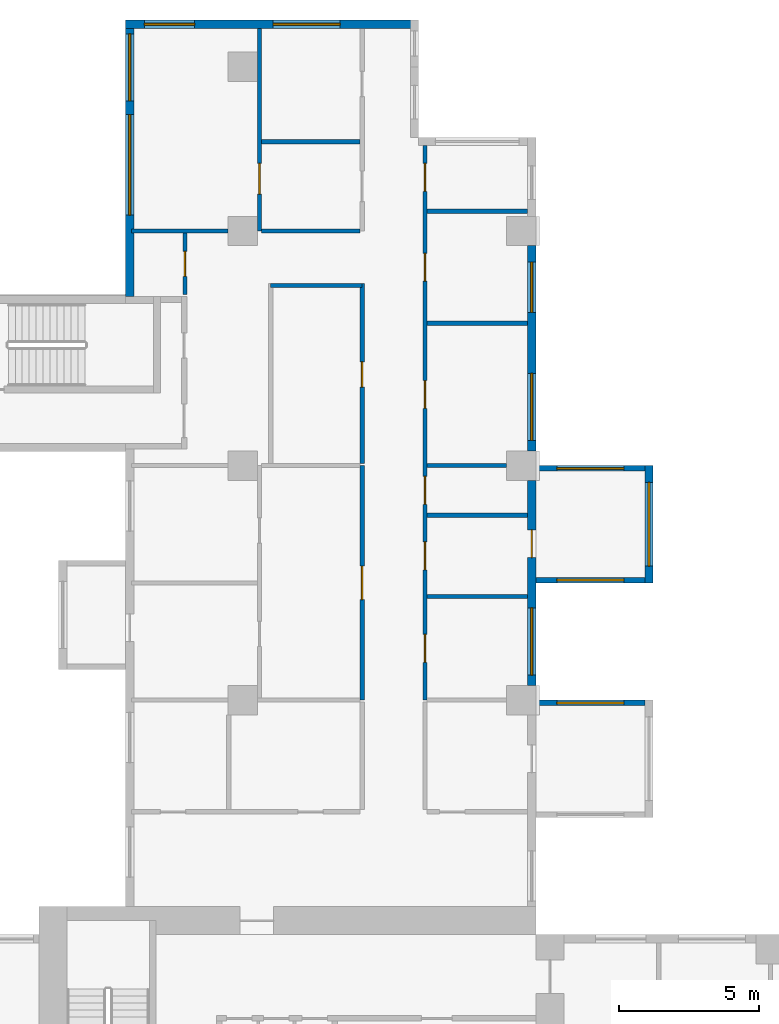
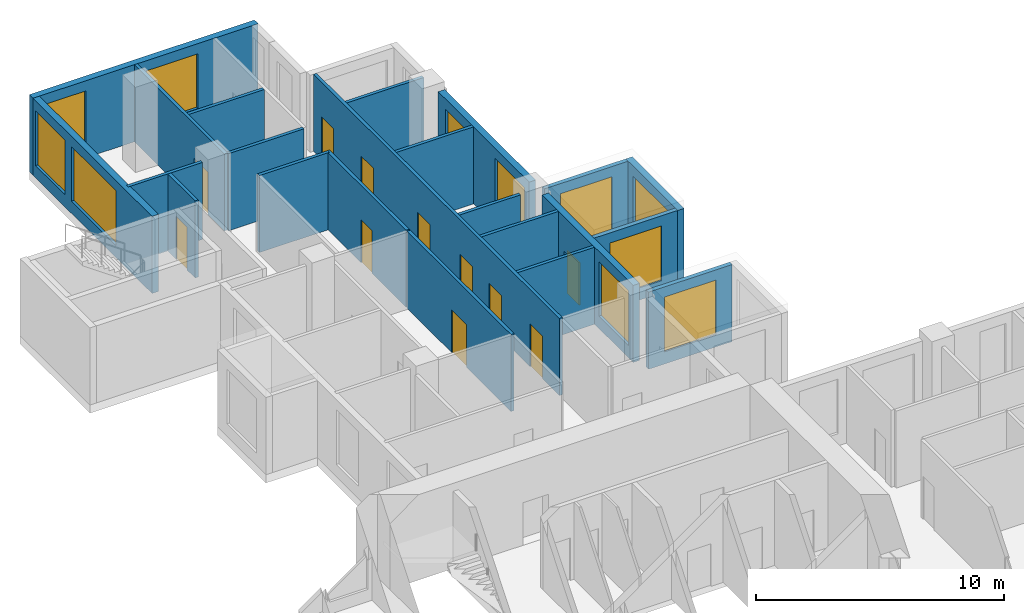
# One storey, part 7 of 14: 22 walls, 11 doors, 11 windows, 22 openings.
"""IFC4 building model written with IfcOpenShell, lengths in metres."""

from ifc_helpers import new_model, si_unit, direction, frame, frame_2d, origin, place, context, subcontext, project, spatial, rectangle, extrude, source, transform, mapped, material, layer, layer_set, type_object, element, fill, save


model = new_model("IFC4")

# Units and contexts
model_context = context("Model", 3, precision=1e-05, world=origin(), true_north=direction((0.0, 1.0)))
body_context = subcontext(model_context, "Body", "Model", "MODEL_VIEW")
ifc_project = project(units=[si_unit("LENGTHUNIT", "METRE"), si_unit("AREAUNIT", "SQUARE_METRE"), si_unit("VOLUMEUNIT", "CUBIC_METRE"), si_unit("PLANEANGLEUNIT", "RADIAN"), si_unit("MASSUNIT", "GRAM", prefix="KILO")], contexts=[model_context])

# Site, building, storey
site_placement = place(None, origin())
site = spatial("IfcSite", under=ifc_project, at=site_placement, CompositionType="ELEMENT")
building_placement = place(site_placement, origin())
building = spatial("IfcBuilding", under=site, at=building_placement, Name="Aurelian Terraces", CompositionType="ELEMENT")
storey_placement = place(building_placement, frame((0.0, 0.0, 111.9)))
storey = spatial("IfcBuildingStorey", under=building, at=storey_placement, Name="L24", CompositionType="ELEMENT", Elevation=111.9)

# Wall, opening, window
ifc_material_1 = material(Name="Concrete fc' 40 MPa", Category="concrete")
ifc_layer_1 = layer(ifc_material_1, 0.2)
ifc_layer_set_1 = layer_set([ifc_layer_1], Name="BOX BEARING WALL 200")
wall_type_1 = type_object("IfcWallType", Name="BOX BEARING WALL 200", PredefinedType="SOLIDWALL", material=ifc_layer_set_1)
shared_shape_1 = source(origin(), body_context, "Body", "SweptSolid", [
    extrude(rectangle(XDim=3.9, YDim=0.2, at=frame_2d((1.95, 0.0))), origin(), (0.0, 0.0, 1.0), 3.8),
])
wall_1_placement = place(storey_placement, frame((21.0, 29.3, 0.0), z_axis=(0.0, 0.0, 1.0), x_axis=(1.0, 0.0, 0.0)))
wall_1 = element("IfcWall", 1, at=wall_1_placement, inside=storey, type_object=wall_type_1, Name="Box return L24 J32.2", PredefinedType="SOLIDWALL", context=body_context, shape_type="MappedRepresentation", body=[
    mapped(shared_shape_1, transform((0.0, 0.0, 0.0), scale=1.0)),
])
shared_shape_2 = source(origin(), body_context, "Body", "SweptSolid", [
    extrude(rectangle(XDim=2.4, YDim=2.7, at=frame_2d((1.2, 1.35))), frame((0.0, 0.11, 0.0), z_axis=(0.0, -1.0, 0.0), x_axis=(1.0, 0.0, 0.0)), (0.0, 0.0, 1.0), 0.22),
])
opening_1_placement = place(wall_1_placement, frame((0.75, 0.0, 0.6)))
opening_1 = element("IfcOpeningElement", 2, at=opening_1_placement, cuts=wall_1, Name="Opening W2427", PredefinedType="OPENING", context=body_context, shape_type="MappedRepresentation", body=[
    mapped(shared_shape_2, transform((0.0, 0.0, 0.0), scale=1.0)),
])
ifc_material_2 = material(Name="Clear glazing", Category="glass")
window_type_1 = type_object("IfcWindowType", Name="W-2400x2700", PartitioningType="SINGLE_PANEL", PredefinedType="WINDOW", material=ifc_material_2)
shared_shape_3 = source(origin(), body_context, "Body", "SweptSolid", [
    extrude(rectangle(XDim=2.4, YDim=2.7, at=frame_2d((1.2, 1.35))), frame((0.0, 0.03, 0.0), z_axis=(0.0, -1.0, 0.0), x_axis=(1.0, 0.0, 0.0)), (0.0, 0.0, 1.0), 0.06),
])
window_1_placement = place(opening_1_placement, origin())
window_1 = element("IfcWindow", 3, at=window_1_placement, inside=storey, type_object=window_type_1, Name="Window L24 J32-S2", OverallHeight=2.7, OverallWidth=2.4, PartitioningType="SINGLE_PANEL", PredefinedType="WINDOW", context=body_context, shape_type="MappedRepresentation", body=[
    mapped(shared_shape_3, transform((0.0, 0.0, 0.0), scale=1.0)),
])
fill(opening_1, window_1)

wall_2_placement = place(storey_placement, frame((21.0, 33.7, 0.0), z_axis=(0.0, 0.0, 1.0), x_axis=(1.0, 0.0, 0.0)))
wall_2 = element("IfcWall", 4, at=wall_2_placement, inside=storey, type_object=wall_type_1, Name="Box return L24 J33.1", PredefinedType="SOLIDWALL", context=body_context, shape_type="MappedRepresentation", body=[
    mapped(shared_shape_1, transform((0.0, 0.0, 0.0), scale=1.0)),
])
opening_2_placement = place(wall_2_placement, frame((0.75, 0.0, 0.6)))
opening_2 = element("IfcOpeningElement", 5, at=opening_2_placement, cuts=wall_2, Name="Opening W2427", PredefinedType="OPENING", context=body_context, shape_type="MappedRepresentation", body=[
    mapped(shared_shape_2, transform((0.0, 0.0, 0.0), scale=1.0)),
])
window_2_placement = place(opening_2_placement, origin())
window_2 = element("IfcWindow", 6, at=window_2_placement, inside=storey, type_object=window_type_1, Name="Window L24 J33-S1", OverallHeight=2.7, OverallWidth=2.4, PartitioningType="SINGLE_PANEL", PredefinedType="WINDOW", context=body_context, shape_type="MappedRepresentation", body=[
    mapped(shared_shape_3, transform((0.0, 0.0, 0.0), scale=1.0)),
])
fill(opening_2, window_2)

wall_3_placement = place(storey_placement, frame((21.0, 37.7, 0.0), z_axis=(0.0, 0.0, 1.0), x_axis=(1.0, 0.0, 0.0)))
wall_3 = element("IfcWall", 7, at=wall_3_placement, inside=storey, type_object=wall_type_1, Name="Box return L24 J33.2", PredefinedType="SOLIDWALL", context=body_context, shape_type="MappedRepresentation", body=[
    mapped(shared_shape_1, transform((0.0, 0.0, 0.0), scale=1.0)),
])
opening_3_placement = place(wall_3_placement, frame((0.75, 0.0, 0.6)))
opening_3 = element("IfcOpeningElement", 8, at=opening_3_placement, cuts=wall_3, Name="Opening W2427", PredefinedType="OPENING", context=body_context, shape_type="MappedRepresentation", body=[
    mapped(shared_shape_2, transform((0.0, 0.0, 0.0), scale=1.0)),
])
window_3_placement = place(opening_3_placement, origin())
window_3 = element("IfcWindow", 9, at=window_3_placement, inside=storey, type_object=window_type_1, Name="Window L24 J33-S2", OverallHeight=2.7, OverallWidth=2.4, PartitioningType="SINGLE_PANEL", PredefinedType="WINDOW", context=body_context, shape_type="MappedRepresentation", body=[
    mapped(shared_shape_3, transform((0.0, 0.0, 0.0), scale=1.0)),
])
fill(opening_3, window_3)

ifc_layer_2 = layer(ifc_material_1, 0.3)
ifc_layer_set_2 = layer_set([ifc_layer_2], Name="BOX BEARING WALL 300")
wall_type_2 = type_object("IfcWallType", Name="BOX BEARING WALL 300", PredefinedType="SOLIDWALL", material=ifc_layer_set_2)
shared_shape_4 = source(origin(), body_context, "Body", "SweptSolid", [
    extrude(rectangle(XDim=4.2, YDim=0.3, at=frame_2d((2.1, 0.0))), origin(), (0.0, 0.0, 1.0), 3.8),
])
wall_4_placement = place(storey_placement, frame((25.05, 33.6, 0.0), z_axis=(0.0, 0.0, 1.0), x_axis=(0.0, 1.0, 0.0)))
wall_4 = element("IfcWall", 10, at=wall_4_placement, inside=storey, type_object=wall_type_2, Name="Box wall L24 J33", PredefinedType="SOLIDWALL", context=body_context, shape_type="MappedRepresentation", body=[
    mapped(shared_shape_4, transform((0.0, 0.0, 0.0), scale=1.0)),
])
shared_shape_5 = source(origin(), body_context, "Body", "SweptSolid", [
    extrude(rectangle(XDim=3.0, YDim=2.7, at=frame_2d((1.5, 1.35))), frame((0.0, 0.16, 0.0), z_axis=(0.0, -1.0, 0.0), x_axis=(1.0, 0.0, 0.0)), (0.0, 0.0, 1.0), 0.32),
])
opening_4_placement = place(wall_4_placement, frame((0.6, 0.0, 0.6)))
opening_4 = element("IfcOpeningElement", 11, at=opening_4_placement, cuts=wall_4, Name="Opening W3027", PredefinedType="OPENING", context=body_context, shape_type="MappedRepresentation", body=[
    mapped(shared_shape_5, transform((0.0, 0.0, 0.0), scale=1.0)),
])
window_type_2 = type_object("IfcWindowType", Name="W-3000x2700", PartitioningType="SINGLE_PANEL", PredefinedType="WINDOW", material=ifc_material_2)
shared_shape_6 = source(origin(), body_context, "Body", "SweptSolid", [
    extrude(rectangle(XDim=3.0, YDim=2.7, at=frame_2d((1.5, 1.35))), frame((0.0, 0.03, 0.0), z_axis=(0.0, -1.0, 0.0), x_axis=(1.0, 0.0, 0.0)), (0.0, 0.0, 1.0), 0.06),
])
window_4_placement = place(opening_4_placement, origin())
window_4 = element("IfcWindow", 12, at=window_4_placement, inside=storey, type_object=window_type_2, Name="Window L24 J33-F1", OverallHeight=2.7, OverallWidth=3.0, PartitioningType="SINGLE_PANEL", PredefinedType="WINDOW", context=body_context, shape_type="MappedRepresentation", body=[
    mapped(shared_shape_6, transform((0.0, 0.0, 0.0), scale=1.0)),
])
fill(opening_4, window_4)

# Wall, openings, window, door
ifc_material_3 = material(Name="Terracotta rainscreen cladding", Category="masonry")
ifc_layer_3 = layer(ifc_material_3, 0.3)
ifc_layer_set_3 = layer_set([ifc_layer_3], Name="EW-300")
wall_type_3 = type_object("IfcWallType", Name="EW-300", PredefinedType="STANDARD", material=ifc_layer_set_3)
shared_shape_7 = source(origin(), body_context, "Body", "SweptSolid", [
    extrude(rectangle(XDim=7.35, YDim=0.3, at=frame_2d((3.675, 0.0))), origin(), (0.0, 0.0, 1.0), 3.8),
])
wall_5_placement = place(storey_placement, frame((20.85, 29.925, 0.0), z_axis=(0.0, 0.0, 1.0), x_axis=(0.0, 1.0, 0.0)))
wall_5 = element("IfcWall", 13, at=wall_5_placement, inside=storey, type_object=wall_type_3, Name="External wall L24 F08.22", PredefinedType="STANDARD", context=body_context, shape_type="MappedRepresentation", body=[
    mapped(shared_shape_7, transform((0.0, 0.0, 0.0), scale=1.0)),
])
shared_shape_8 = source(origin(), body_context, "Body", "SweptSolid", [
    extrude(rectangle(XDim=2.4, YDim=2.7, at=frame_2d((1.2, 1.35))), frame((0.0, 0.16, 0.0), z_axis=(0.0, -1.0, 0.0), x_axis=(1.0, 0.0, 0.0)), (0.0, 0.0, 1.0), 0.32),
])
opening_5_placement = place(wall_5_placement, frame((0.375, 0.0, 0.6)))
opening_5 = element("IfcOpeningElement", 14, at=opening_5_placement, cuts=wall_5, Name="Opening W2427", PredefinedType="OPENING", context=body_context, shape_type="MappedRepresentation", body=[
    mapped(shared_shape_8, transform((0.0, 0.0, 0.0), scale=1.0)),
])
shared_shape_9 = source(origin(), body_context, "Body", "SweptSolid", [
    extrude(rectangle(XDim=1.0, YDim=2.1, at=frame_2d((0.5, 1.05))), frame((0.0, 0.16, 0.0), z_axis=(0.0, -1.0, 0.0), x_axis=(1.0, 0.0, 0.0)), (0.0, 0.0, 1.0), 0.32),
])
opening_6_placement = place(wall_5_placement, frame((4.575, 0.0, 0.0)))
opening_6 = element("IfcOpeningElement", 15, at=opening_6_placement, cuts=wall_5, Name="Opening 824003", PredefinedType="OPENING", context=body_context, shape_type="MappedRepresentation", body=[
    mapped(shared_shape_9, transform((0.0, 0.0, 0.0), scale=1.0)),
])
window_5_placement = place(opening_5_placement, origin())
window_5 = element("IfcWindow", 16, at=window_5_placement, inside=storey, type_object=window_type_1, Name="Window L24 L24-F08-22-0", OverallHeight=2.7, OverallWidth=2.4, PartitioningType="SINGLE_PANEL", PredefinedType="WINDOW", context=body_context, shape_type="MappedRepresentation", body=[
    mapped(shared_shape_3, transform((0.0, 0.0, 0.0), scale=1.0)),
])
fill(opening_5, window_5)
ifc_material_4 = material(Name="Timber door leaf", Category="wood")
door_type_1 = type_object("IfcDoorType", Name="Room door 1000x2100 left", OperationType="SINGLE_SWING_LEFT", PredefinedType="DOOR", material=ifc_material_4)
shared_shape_10 = source(origin(), body_context, "Body", "SweptSolid", [
    extrude(rectangle(XDim=1.0, YDim=2.1, at=frame_2d((0.5, 1.05))), frame((0.0, 0.025, 0.0), z_axis=(0.0, -1.0, 0.0), x_axis=(1.0, 0.0, 0.0)), (0.0, 0.0, 1.0), 0.05),
])
door_1_placement = place(opening_6_placement, origin())
door_1 = element("IfcDoor", 17, at=door_1_placement, inside=storey, type_object=door_type_1, Name="Door 824003", OperationType="SINGLE_SWING_LEFT", OverallHeight=2.1, OverallWidth=1.0, PredefinedType="DOOR", context=body_context, shape_type="MappedRepresentation", body=[
    mapped(shared_shape_10, transform((0.0, 0.0, 0.0), scale=1.0)),
])
fill(opening_6, door_1)

# Wall, openings, windows
wall_6_placement = place(storey_placement, frame((20.85, 38.325, 0.0), z_axis=(0.0, 0.0, 1.0), x_axis=(0.0, 1.0, 0.0)))
wall_6 = element("IfcWall", 18, at=wall_6_placement, inside=storey, type_object=wall_type_3, Name="External wall L24 F08.23", PredefinedType="STANDARD", context=body_context, shape_type="MappedRepresentation", body=[
    mapped(shared_shape_7, transform((0.0, 0.0, 0.0), scale=1.0)),
])
opening_7_placement = place(wall_6_placement, frame((0.375, 0.0, 0.6)))
opening_7 = element("IfcOpeningElement", 19, at=opening_7_placement, cuts=wall_6, Name="Opening W2427", PredefinedType="OPENING", context=body_context, shape_type="MappedRepresentation", body=[
    mapped(shared_shape_8, transform((0.0, 0.0, 0.0), scale=1.0)),
])
shared_shape_11 = source(origin(), body_context, "Body", "SweptSolid", [
    extrude(rectangle(XDim=1.8, YDim=2.7, at=frame_2d((0.9, 1.35))), frame((0.0, 0.16, 0.0), z_axis=(0.0, -1.0, 0.0), x_axis=(1.0, 0.0, 0.0)), (0.0, 0.0, 1.0), 0.32),
])
opening_8_placement = place(wall_6_placement, frame((4.9605, 0.0, 0.6)))
opening_8 = element("IfcOpeningElement", 20, at=opening_8_placement, cuts=wall_6, Name="Opening W1827", PredefinedType="OPENING", context=body_context, shape_type="MappedRepresentation", body=[
    mapped(shared_shape_11, transform((0.0, 0.0, 0.0), scale=1.0)),
])
window_6_placement = place(opening_7_placement, origin())
window_6 = element("IfcWindow", 21, at=window_6_placement, inside=storey, type_object=window_type_1, Name="Window L24 L24-F08-23-0", OverallHeight=2.7, OverallWidth=2.4, PartitioningType="SINGLE_PANEL", PredefinedType="WINDOW", context=body_context, shape_type="MappedRepresentation", body=[
    mapped(shared_shape_3, transform((0.0, 0.0, 0.0), scale=1.0)),
])
fill(opening_7, window_6)
window_type_3 = type_object("IfcWindowType", Name="W-1800x2700", PartitioningType="SINGLE_PANEL", PredefinedType="WINDOW", material=ifc_material_2)
shared_shape_12 = source(origin(), body_context, "Body", "SweptSolid", [
    extrude(rectangle(XDim=1.8, YDim=2.7, at=frame_2d((0.9, 1.35))), frame((0.0, 0.03, 0.0), z_axis=(0.0, -1.0, 0.0), x_axis=(1.0, 0.0, 0.0)), (0.0, 0.0, 1.0), 0.06),
])
window_7_placement = place(opening_8_placement, origin())
window_7 = element("IfcWindow", 22, at=window_7_placement, inside=storey, type_object=window_type_3, Name="Window L24 L24-F08-23-1", OverallHeight=2.7, OverallWidth=1.8, PartitioningType="SINGLE_PANEL", PredefinedType="WINDOW", context=body_context, shape_type="MappedRepresentation", body=[
    mapped(shared_shape_12, transform((0.0, 0.0, 0.0), scale=1.0)),
])
fill(opening_8, window_7)

shared_shape_13 = source(origin(), body_context, "Body", "SweptSolid", [
    extrude(rectangle(XDim=10.5, YDim=0.3, at=frame_2d((5.25, 0.0))), origin(), (0.0, 0.0, 1.0), 3.8),
])
wall_7_placement = place(storey_placement, frame((16.8, 53.61, 0.0), z_axis=(0.0, 0.0, 1.0), x_axis=(-1.0, 0.0, 0.0)))
wall_7 = element("IfcWall", 23, at=wall_7_placement, inside=storey, type_object=wall_type_3, Name="External wall L24 F11.28", PredefinedType="STANDARD", context=body_context, shape_type="MappedRepresentation", body=[
    mapped(shared_shape_13, transform((0.0, 0.0, 0.0), scale=1.0)),
])
opening_9_placement = place(wall_7_placement, frame((8.025, 0.0, 0.6)))
opening_9 = element("IfcOpeningElement", 24, at=opening_9_placement, cuts=wall_7, Name="Opening W1827", PredefinedType="OPENING", context=body_context, shape_type="MappedRepresentation", body=[
    mapped(shared_shape_11, transform((0.0, 0.0, 0.0), scale=1.0)),
])
opening_10_placement = place(wall_7_placement, frame((2.8125, 0.0, 0.6)))
opening_10 = element("IfcOpeningElement", 25, at=opening_10_placement, cuts=wall_7, Name="Opening W2427", PredefinedType="OPENING", context=body_context, shape_type="MappedRepresentation", body=[
    mapped(shared_shape_8, transform((0.0, 0.0, 0.0), scale=1.0)),
])
window_8_placement = place(opening_10_placement, origin())
window_8 = element("IfcWindow", 26, at=window_8_placement, inside=storey, type_object=window_type_1, Name="Window L24 L24-F11-28-G0-0", OverallHeight=2.7, OverallWidth=2.4, PartitioningType="SINGLE_PANEL", PredefinedType="WINDOW", context=body_context, shape_type="MappedRepresentation", body=[
    mapped(shared_shape_3, transform((0.0, 0.0, 0.0), scale=1.0)),
])
fill(opening_10, window_8)
window_9_placement = place(opening_9_placement, origin())
window_9 = element("IfcWindow", 27, at=window_9_placement, inside=storey, type_object=window_type_3, Name="Window L24 L24-F11-28-2", OverallHeight=2.7, OverallWidth=1.8, PartitioningType="SINGLE_PANEL", PredefinedType="WINDOW", context=body_context, shape_type="MappedRepresentation", body=[
    mapped(shared_shape_12, transform((0.0, 0.0, 0.0), scale=1.0)),
])
fill(opening_9, window_9)

shared_shape_14 = source(origin(), body_context, "Body", "SweptSolid", [
    extrude(rectangle(XDim=9.91, YDim=0.3, at=frame_2d((4.955, 0.0))), origin(), (0.0, 0.0, 1.0), 3.8),
])
wall_8_placement = place(storey_placement, frame((6.45, 53.76, 0.0), z_axis=(0.0, 0.0, 1.0), x_axis=(0.0, -1.0, 0.0)))
wall_8 = element("IfcWall", 28, at=wall_8_placement, inside=storey, type_object=wall_type_3, Name="External wall L24 F12.29", PredefinedType="STANDARD", context=body_context, shape_type="MappedRepresentation", body=[
    mapped(shared_shape_14, transform((0.0, 0.0, 0.0), scale=1.0)),
])
shared_shape_15 = source(origin(), body_context, "Body", "SweptSolid", [
    extrude(rectangle(XDim=3.6, YDim=2.7, at=frame_2d((1.8, 1.35))), frame((0.0, 0.16, 0.0), z_axis=(0.0, -1.0, 0.0), x_axis=(1.0, 0.0, 0.0)), (0.0, 0.0, 1.0), 0.32),
])
opening_11_placement = place(wall_8_placement, frame((3.39, 0.0, 0.6)))
opening_11 = element("IfcOpeningElement", 29, at=opening_11_placement, cuts=wall_8, Name="Opening W3627", PredefinedType="OPENING", context=body_context, shape_type="MappedRepresentation", body=[
    mapped(shared_shape_15, transform((0.0, 0.0, 0.0), scale=1.0)),
])
opening_12_placement = place(wall_8_placement, frame((0.495, 0.0, 0.6)))
opening_12 = element("IfcOpeningElement", 30, at=opening_12_placement, cuts=wall_8, Name="Opening W2427", PredefinedType="OPENING", context=body_context, shape_type="MappedRepresentation", body=[
    mapped(shared_shape_8, transform((0.0, 0.0, 0.0), scale=1.0)),
])
window_type_4 = type_object("IfcWindowType", Name="W-3600x2700", PartitioningType="SINGLE_PANEL", PredefinedType="WINDOW", material=ifc_material_2)
shared_shape_16 = source(origin(), body_context, "Body", "SweptSolid", [
    extrude(rectangle(XDim=3.6, YDim=2.7, at=frame_2d((1.8, 1.35))), frame((0.0, 0.03, 0.0), z_axis=(0.0, -1.0, 0.0), x_axis=(1.0, 0.0, 0.0)), (0.0, 0.0, 1.0), 0.06),
])
window_10_placement = place(opening_11_placement, origin())
window_10 = element("IfcWindow", 31, at=window_10_placement, inside=storey, type_object=window_type_4, Name="Window L24 L24-F12-29-1", OverallHeight=2.7, OverallWidth=3.6, PartitioningType="SINGLE_PANEL", PredefinedType="WINDOW", context=body_context, shape_type="MappedRepresentation", body=[
    mapped(shared_shape_16, transform((0.0, 0.0, 0.0), scale=1.0)),
])
fill(opening_11, window_10)
window_11_placement = place(opening_12_placement, origin())
window_11 = element("IfcWindow", 32, at=window_11_placement, inside=storey, type_object=window_type_1, Name="Window L24 L24-F12-29-G0-0", OverallHeight=2.7, OverallWidth=2.4, PartitioningType="SINGLE_PANEL", PredefinedType="WINDOW", context=body_context, shape_type="MappedRepresentation", body=[
    mapped(shared_shape_3, transform((0.0, 0.0, 0.0), scale=1.0)),
])
fill(opening_12, window_11)

# Wall, opening, door
ifc_material_5 = material(Name="Gypsum board on steel studs", Category="steel")
ifc_layer_4 = layer(ifc_material_5, 0.15)
ifc_layer_set_4 = layer_set([ifc_layer_4], Name="Fire partition 150")
wall_type_4 = type_object("IfcWallType", Name="Fire partition 150", PredefinedType="PARTITIONING", material=ifc_layer_set_4)
shared_shape_17 = source(origin(), body_context, "Body", "SweptSolid", [
    extrude(rectangle(XDim=6.45, YDim=0.15, at=frame_2d((3.225, 0.0))), origin(), (0.0, 0.0, 1.0), 3.8),
])
wall_9_placement = place(storey_placement, frame((14.775, 37.875, 0.0), z_axis=(0.0, 0.0, 1.0), x_axis=(0.0, 1.0, 0.0)))
wall_9 = element("IfcWall", 33, at=wall_9_placement, inside=storey, type_object=wall_type_4, Name="Corridor wall", PredefinedType="PARTITIONING", context=body_context, shape_type="MappedRepresentation", body=[
    mapped(shared_shape_17, transform((0.0, 0.0, 0.0), scale=1.0)),
])
shared_shape_18 = source(origin(), body_context, "Body", "SweptSolid", [
    extrude(rectangle(XDim=0.9, YDim=2.1, at=frame_2d((0.45, 1.05))), frame((0.0, 0.085, 0.0), z_axis=(0.0, -1.0, 0.0), x_axis=(1.0, 0.0, 0.0)), (0.0, 0.0, 1.0), 0.17),
])
opening_13_placement = place(wall_9_placement, frame((2.7375, 0.0, 0.0)))
opening_13 = element("IfcOpeningElement", 34, at=opening_13_placement, cuts=wall_9, Name="Opening 724034", PredefinedType="OPENING", context=body_context, shape_type="MappedRepresentation", body=[
    mapped(shared_shape_18, transform((0.0, 0.0, 0.0), scale=1.0)),
])
door_type_2 = type_object("IfcDoorType", Name="Room door 900x2100 left", OperationType="SINGLE_SWING_LEFT", PredefinedType="DOOR", material=ifc_material_4)
shared_shape_19 = source(origin(), body_context, "Body", "SweptSolid", [
    extrude(rectangle(XDim=0.9, YDim=2.1, at=frame_2d((0.45, 1.05))), frame((0.0, 0.025, 0.0), z_axis=(0.0, -1.0, 0.0), x_axis=(1.0, 0.0, 0.0)), (0.0, 0.0, 1.0), 0.05),
])
door_2_placement = place(opening_13_placement, origin())
door_2 = element("IfcDoor", 35, at=door_2_placement, inside=storey, type_object=door_type_2, Name="Door 724034", OperationType="SINGLE_SWING_LEFT", OverallHeight=2.1, OverallWidth=0.9, PredefinedType="DOOR", context=body_context, shape_type="MappedRepresentation", body=[
    mapped(shared_shape_19, transform((0.0, 0.0, 0.0), scale=1.0)),
])
fill(opening_13, door_2)

# Walls
ifc_layer_5 = layer(ifc_material_5, 0.15)
ifc_layer_set_5 = layer_set([ifc_layer_5], Name="Partition 150")
wall_type_5 = type_object("IfcWallType", Name="Partition 150", PredefinedType="PARTITIONING", material=ifc_layer_set_5)
shared_shape_20 = source(origin(), body_context, "Body", "SweptSolid", [
    extrude(rectangle(XDim=3.6, YDim=0.15, at=frame_2d((1.8, 0.0))), origin(), (0.0, 0.0, 1.0), 3.8),
])
for number, where, z_axis, x_axis, name in (
    (36, (17.1, 33.1133, 0.0), (0.0, 0.0, 1.0), (1.0, 0.0, 0.0), "Partition"),
    (37, (17.1, 36.024, 0.0), (0.0, 0.0, 1.0), (1.0, 0.0, 0.0), "Partition"),
    (38, (17.1, 42.8959, 0.0), (0.0, 0.0, 1.0), (1.0, 0.0, 0.0), "Partition"),
    (39, (17.1, 46.9126, 0.0), (0.0, 0.0, 1.0), (1.0, 0.0, 0.0), "Partition"),
):
    element("IfcWall", number, at=place(storey_placement, frame(where, z_axis=z_axis, x_axis=x_axis)), inside=storey, type_object=wall_type_5, Name=name, PredefinedType="PARTITIONING", context=body_context, shape_type="MappedRepresentation", body=[
        mapped(shared_shape_20, transform((0.0, 0.0, 0.0), scale=1.0)),
    ])

# Wall, opening, door
shared_shape_21 = source(origin(), body_context, "Body", "SweptSolid", [
    extrude(rectangle(XDim=8.4, YDim=0.15, at=frame_2d((4.2, 0.0))), origin(), (0.0, 0.0, 1.0), 3.8),
])
wall_10_placement = place(storey_placement, frame((14.775, 29.4, 0.0), z_axis=(0.0, 0.0, 1.0), x_axis=(0.0, 1.0, 0.0)))
wall_10 = element("IfcWall", 40, at=wall_10_placement, inside=storey, type_object=wall_type_4, Name="Corridor wall", PredefinedType="PARTITIONING", context=body_context, shape_type="MappedRepresentation", body=[
    mapped(shared_shape_21, transform((0.0, 0.0, 0.0), scale=1.0)),
])
shared_shape_22 = source(origin(), body_context, "Body", "SweptSolid", [
    extrude(rectangle(XDim=1.2, YDim=2.1, at=frame_2d((0.6, 1.05))), frame((0.0, 0.085, 0.0), z_axis=(0.0, -1.0, 0.0), x_axis=(1.0, 0.0, 0.0)), (0.0, 0.0, 1.0), 0.17),
])
opening_14_placement = place(wall_10_placement, frame((3.6, 0.0, 0.0)))
opening_14 = element("IfcOpeningElement", 41, at=opening_14_placement, cuts=wall_10, Name="Opening 724036", PredefinedType="OPENING", context=body_context, shape_type="MappedRepresentation", body=[
    mapped(shared_shape_22, transform((0.0, 0.0, 0.0), scale=1.0)),
])
door_type_3 = type_object("IfcDoorType", Name="Room door 1200x2100 right", OperationType="SINGLE_SWING_RIGHT", PredefinedType="DOOR", material=ifc_material_4)
shared_shape_23 = source(origin(), body_context, "Body", "SweptSolid", [
    extrude(rectangle(XDim=1.2, YDim=2.1, at=frame_2d((0.6, 1.05))), frame((0.0, 0.025, 0.0), z_axis=(0.0, -1.0, 0.0), x_axis=(1.0, 0.0, 0.0)), (0.0, 0.0, 1.0), 0.05),
])
door_3_placement = place(opening_14_placement, origin())
door_3 = element("IfcDoor", 42, at=door_3_placement, inside=storey, type_object=door_type_3, Name="Door 724036", OperationType="SINGLE_SWING_RIGHT", OverallHeight=2.1, OverallWidth=1.2, PredefinedType="DOOR", context=body_context, shape_type="MappedRepresentation", body=[
    mapped(shared_shape_23, transform((0.0, 0.0, 0.0), scale=1.0)),
])
fill(opening_14, door_3)

shared_shape_24 = source(origin(), body_context, "Body", "SweptSolid", [
    extrude(rectangle(XDim=2.2, YDim=0.15, at=frame_2d((1.1, 0.0))), origin(), (0.0, 0.0, 1.0), 3.8),
])
wall_11_placement = place(storey_placement, frame((8.425, 43.925, 0.0), z_axis=(0.0, 0.0, 1.0), x_axis=(0.0, 1.0, 0.0)))
wall_11 = element("IfcWall", 43, at=wall_11_placement, inside=storey, type_object=wall_type_5, Name="Partition", PredefinedType="PARTITIONING", context=body_context, shape_type="MappedRepresentation", body=[
    mapped(shared_shape_24, transform((0.0, 0.0, 0.0), scale=1.0)),
])
opening_15_placement = place(wall_11_placement, frame((0.65, 0.0, 0.0)))
opening_15 = element("IfcOpeningElement", 44, at=opening_15_placement, cuts=wall_11, Name="Opening 724035", PredefinedType="OPENING", context=body_context, shape_type="MappedRepresentation", body=[
    mapped(shared_shape_18, transform((0.0, 0.0, 0.0), scale=1.0)),
])
door_4_placement = place(opening_15_placement, origin())
door_4 = element("IfcDoor", 45, at=door_4_placement, inside=storey, type_object=door_type_2, Name="Door 724035", OperationType="SINGLE_SWING_LEFT", OverallHeight=2.1, OverallWidth=0.9, PredefinedType="DOOR", context=body_context, shape_type="MappedRepresentation", body=[
    mapped(shared_shape_19, transform((0.0, 0.0, 0.0), scale=1.0)),
])
fill(opening_15, door_4)

# Wall
shared_shape_25 = source(origin(), body_context, "Body", "SweptSolid", [
    extrude(rectangle(XDim=3.275, YDim=0.15, at=frame_2d((1.6375, 0.0))), origin(), (0.0, 0.0, 1.0), 3.8),
])
wall_12_placement = place(storey_placement, frame((14.775, 44.25, 0.0), z_axis=(0.0, 0.0, 1.0), x_axis=(-1.0, 0.0, 0.0)))
element("IfcWall", 46, at=wall_12_placement, inside=storey, type_object=wall_type_5, Name="Partition", PredefinedType="PARTITIONING", context=body_context, shape_type="MappedRepresentation", body=[
    mapped(shared_shape_25, transform((0.0, 0.0, 0.0), scale=1.0)),
])

# Wall, opening, door
shared_shape_26 = source(origin(), body_context, "Body", "SweptSolid", [
    extrude(rectangle(XDim=7.26, YDim=0.15, at=frame_2d((3.63, 0.0))), origin(), (0.0, 0.0, 1.0), 3.8),
])
wall_13_placement = place(storey_placement, frame((11.1, 46.2, 0.0), z_axis=(0.0, 0.0, 1.0), x_axis=(0.0, 1.0, 0.0)))
wall_13 = element("IfcWall", 47, at=wall_13_placement, inside=storey, type_object=wall_type_5, Name="Partition", PredefinedType="PARTITIONING", context=body_context, shape_type="MappedRepresentation", body=[
    mapped(shared_shape_26, transform((0.0, 0.0, 0.0), scale=1.0)),
])
shared_shape_27 = source(origin(), body_context, "Body", "SweptSolid", [
    extrude(rectangle(XDim=1.1, YDim=2.1, at=frame_2d((0.55, 1.05))), frame((0.0, 0.085, 0.0), z_axis=(0.0, -1.0, 0.0), x_axis=(1.0, 0.0, 0.0)), (0.0, 0.0, 1.0), 0.17),
])
opening_16_placement = place(wall_13_placement, frame((1.3258, 0.0, 0.0)))
opening_16 = element("IfcOpeningElement", 48, at=opening_16_placement, cuts=wall_13, Name="Opening 724040", PredefinedType="OPENING", context=body_context, shape_type="MappedRepresentation", body=[
    mapped(shared_shape_27, transform((0.0, 0.0, 0.0), scale=1.0)),
])
door_type_4 = type_object("IfcDoorType", Name="Room door 1100x2100 left", OperationType="SINGLE_SWING_LEFT", PredefinedType="DOOR", material=ifc_material_4)
shared_shape_28 = source(origin(), body_context, "Body", "SweptSolid", [
    extrude(rectangle(XDim=1.1, YDim=2.1, at=frame_2d((0.55, 1.05))), frame((0.0, 0.025, 0.0), z_axis=(0.0, -1.0, 0.0), x_axis=(1.0, 0.0, 0.0)), (0.0, 0.0, 1.0), 0.05),
])
door_5_placement = place(opening_16_placement, origin())
door_5 = element("IfcDoor", 49, at=door_5_placement, inside=storey, type_object=door_type_4, Name="Door 724040", OperationType="SINGLE_SWING_LEFT", OverallHeight=2.1, OverallWidth=1.1, PredefinedType="DOOR", context=body_context, shape_type="MappedRepresentation", body=[
    mapped(shared_shape_28, transform((0.0, 0.0, 0.0), scale=1.0)),
])
fill(opening_16, door_5)

# Walls
shared_shape_29 = source(origin(), body_context, "Body", "SweptSolid", [
    extrude(rectangle(XDim=2.851, YDim=0.15, at=frame_2d((1.4255, 0.0))), origin(), (0.0, 0.0, 1.0), 3.8),
])
wall_14_placement = place(storey_placement, frame((19.951, 37.8, 0.0), z_axis=(0.0, 0.0, 1.0), x_axis=(-1.0, 0.0, 0.0)))
element("IfcWall", 50, at=wall_14_placement, inside=storey, type_object=wall_type_5, Name="Partition", PredefinedType="PARTITIONING", context=body_context, shape_type="MappedRepresentation", body=[
    mapped(shared_shape_29, transform((0.0, 0.0, 0.0), scale=1.0)),
])
shared_shape_30 = source(origin(), body_context, "Body", "SweptSolid", [
    extrude(rectangle(XDim=3.471, YDim=0.15, at=frame_2d((1.7355, 0.0))), origin(), (0.0, 0.0, 1.0), 3.8),
])
wall_15_placement = place(storey_placement, frame((9.976, 46.2, 0.0), z_axis=(0.0, 0.0, 1.0), x_axis=(-1.0, 0.0, 0.0)))
element("IfcWall", 51, at=wall_15_placement, inside=storey, type_object=wall_type_5, Name="Partition", PredefinedType="PARTITIONING", context=body_context, shape_type="MappedRepresentation", body=[
    mapped(shared_shape_30, transform((0.0, 0.0, 0.0), scale=1.0)),
])
shared_shape_31 = source(origin(), body_context, "Body", "SweptSolid", [
    extrude(rectangle(XDim=3.525, YDim=0.15, at=frame_2d((1.7625, 0.0))), origin(), (0.0, 0.0, 1.0), 3.8),
])
for number, where, z_axis, x_axis, name in (
    (52, (14.7, 49.4015, 0.0), (0.0, 0.0, 1.0), (-1.0, 0.0, 0.0), "Partition"),
    (53, (14.7, 46.2, 0.0), (0.0, 0.0, 1.0), (-1.0, 0.0, 0.0), "Partition"),
):
    element("IfcWall", number, at=place(storey_placement, frame(where, z_axis=z_axis, x_axis=x_axis)), inside=storey, type_object=wall_type_5, Name=name, PredefinedType="PARTITIONING", context=body_context, shape_type="MappedRepresentation", body=[
        mapped(shared_shape_31, transform((0.0, 0.0, 0.0), scale=1.0)),
    ])

# Wall, openings, doors
shared_shape_32 = source(origin(), body_context, "Body", "SweptSolid", [
    extrude(rectangle(XDim=19.86, YDim=0.15, at=frame_2d((9.93, 0.0))), origin(), (0.0, 0.0, 1.0), 3.8),
])
wall_16_placement = place(storey_placement, frame((17.025, 49.26, 0.0), z_axis=(0.0, 0.0, 1.0), x_axis=(0.0, -1.0, 0.0)))
wall_16 = element("IfcWall", 54, at=wall_16_placement, inside=storey, type_object=wall_type_4, Name="Corridor wall", PredefinedType="PARTITIONING", context=body_context, shape_type="MappedRepresentation", body=[
    mapped(shared_shape_32, transform((0.0, 0.0, 0.0), scale=1.0)),
])
shared_shape_33 = source(origin(), body_context, "Body", "SweptSolid", [
    extrude(rectangle(XDim=1.0, YDim=2.1, at=frame_2d((0.5, 1.05))), frame((0.0, 0.085, 0.0), z_axis=(0.0, -1.0, 0.0), x_axis=(1.0, 0.0, 0.0)), (0.0, 0.0, 1.0), 0.17),
])
opening_17_placement = place(wall_16_placement, frame((17.5033, 0.0, 0.0)))
opening_17 = element("IfcOpeningElement", 55, at=opening_17_placement, cuts=wall_16, Name="Opening 724042", PredefinedType="OPENING", context=body_context, shape_type="MappedRepresentation", body=[
    mapped(shared_shape_33, transform((0.0, 0.0, 0.0), scale=1.0)),
])
opening_18_placement = place(wall_16_placement, frame((14.1914, 0.0, 0.0)))
opening_18 = element("IfcOpeningElement", 56, at=opening_18_placement, cuts=wall_16, Name="Opening 724043", PredefinedType="OPENING", context=body_context, shape_type="MappedRepresentation", body=[
    mapped(shared_shape_33, transform((0.0, 0.0, 0.0), scale=1.0)),
])
opening_19_placement = place(wall_16_placement, frame((11.848, 0.0, 0.0)))
opening_19 = element("IfcOpeningElement", 57, at=opening_19_placement, cuts=wall_16, Name="Opening 724044", PredefinedType="OPENING", context=body_context, shape_type="MappedRepresentation", body=[
    mapped(shared_shape_33, transform((0.0, 0.0, 0.0), scale=1.0)),
])
opening_20_placement = place(wall_16_placement, frame((8.4121, 0.0, 0.0)))
opening_20 = element("IfcOpeningElement", 58, at=opening_20_placement, cuts=wall_16, Name="Opening 724045", PredefinedType="OPENING", context=body_context, shape_type="MappedRepresentation", body=[
    mapped(shared_shape_33, transform((0.0, 0.0, 0.0), scale=1.0)),
])
opening_21_placement = place(wall_16_placement, frame((3.8558, 0.0, 0.0)))
opening_21 = element("IfcOpeningElement", 59, at=opening_21_placement, cuts=wall_16, Name="Opening 724046", PredefinedType="OPENING", context=body_context, shape_type="MappedRepresentation", body=[
    mapped(shared_shape_33, transform((0.0, 0.0, 0.0), scale=1.0)),
])
opening_22_placement = place(wall_16_placement, frame((0.6362, 0.0, 0.0)))
opening_22 = element("IfcOpeningElement", 60, at=opening_22_placement, cuts=wall_16, Name="Opening 724047", PredefinedType="OPENING", context=body_context, shape_type="MappedRepresentation", body=[
    mapped(shared_shape_33, transform((0.0, 0.0, 0.0), scale=1.0)),
])
door_type_5 = type_object("IfcDoorType", Name="Room door 1000x2100 right", OperationType="SINGLE_SWING_RIGHT", PredefinedType="DOOR", material=ifc_material_4)
door_6_placement = place(opening_17_placement, origin())
door_6 = element("IfcDoor", 61, at=door_6_placement, inside=storey, type_object=door_type_5, Name="Door 724042", OperationType="SINGLE_SWING_RIGHT", OverallHeight=2.1, OverallWidth=1.0, PredefinedType="DOOR", context=body_context, shape_type="MappedRepresentation", body=[
    mapped(shared_shape_10, transform((0.0, 0.0, 0.0), scale=1.0)),
])
fill(opening_17, door_6)
door_7_placement = place(opening_18_placement, origin())
door_7 = element("IfcDoor", 62, at=door_7_placement, inside=storey, type_object=door_type_1, Name="Door 724043", OperationType="SINGLE_SWING_LEFT", OverallHeight=2.1, OverallWidth=1.0, PredefinedType="DOOR", context=body_context, shape_type="MappedRepresentation", body=[
    mapped(shared_shape_10, transform((0.0, 0.0, 0.0), scale=1.0)),
])
fill(opening_18, door_7)
door_8_placement = place(opening_19_placement, origin())
door_8 = element("IfcDoor", 63, at=door_8_placement, inside=storey, type_object=door_type_5, Name="Door 724044", OperationType="SINGLE_SWING_RIGHT", OverallHeight=2.1, OverallWidth=1.0, PredefinedType="DOOR", context=body_context, shape_type="MappedRepresentation", body=[
    mapped(shared_shape_10, transform((0.0, 0.0, 0.0), scale=1.0)),
])
fill(opening_19, door_8)
door_9_placement = place(opening_20_placement, origin())
door_9 = element("IfcDoor", 64, at=door_9_placement, inside=storey, type_object=door_type_5, Name="Door 724045", OperationType="SINGLE_SWING_RIGHT", OverallHeight=2.1, OverallWidth=1.0, PredefinedType="DOOR", context=body_context, shape_type="MappedRepresentation", body=[
    mapped(shared_shape_10, transform((0.0, 0.0, 0.0), scale=1.0)),
])
fill(opening_20, door_9)
door_10_placement = place(opening_21_placement, origin())
door_10 = element("IfcDoor", 65, at=door_10_placement, inside=storey, type_object=door_type_1, Name="Door 724046", OperationType="SINGLE_SWING_LEFT", OverallHeight=2.1, OverallWidth=1.0, PredefinedType="DOOR", context=body_context, shape_type="MappedRepresentation", body=[
    mapped(shared_shape_10, transform((0.0, 0.0, 0.0), scale=1.0)),
])
fill(opening_21, door_10)
door_11_placement = place(opening_22_placement, origin())
door_11 = element("IfcDoor", 66, at=door_11_placement, inside=storey, type_object=door_type_5, Name="Door 724047", OperationType="SINGLE_SWING_RIGHT", OverallHeight=2.1, OverallWidth=1.0, PredefinedType="DOOR", context=body_context, shape_type="MappedRepresentation", body=[
    mapped(shared_shape_10, transform((0.0, 0.0, 0.0), scale=1.0)),
])
fill(opening_22, door_11)

save(model, "model.ifc")
